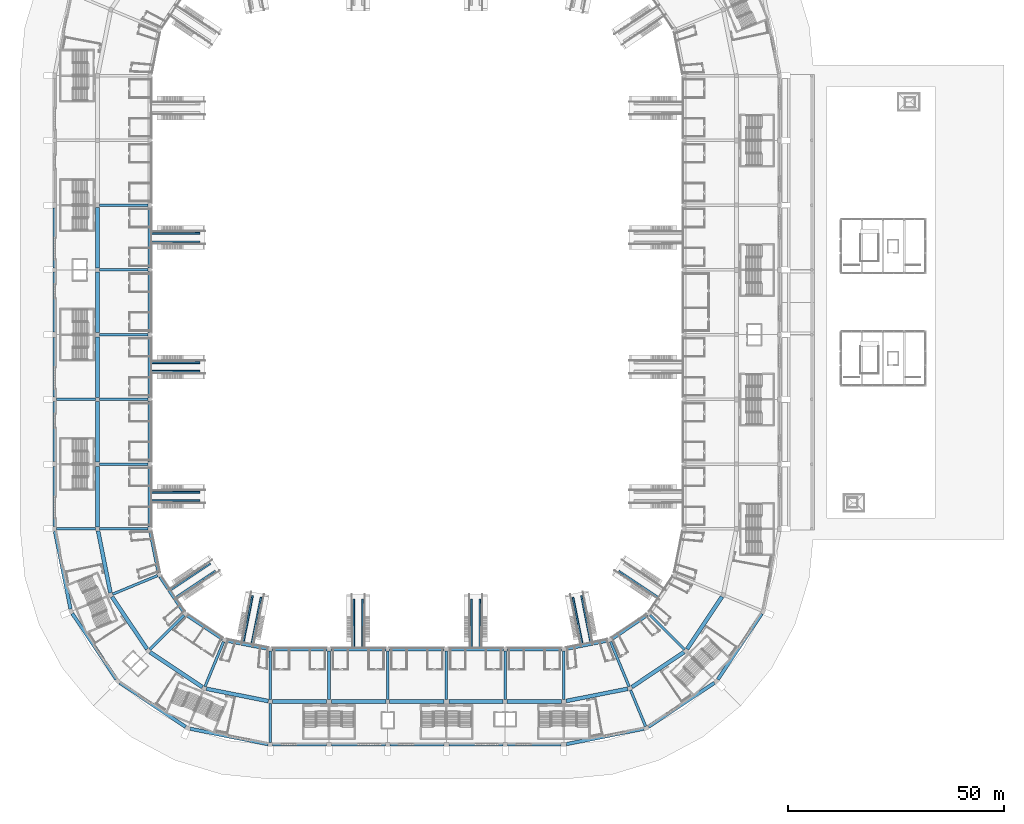
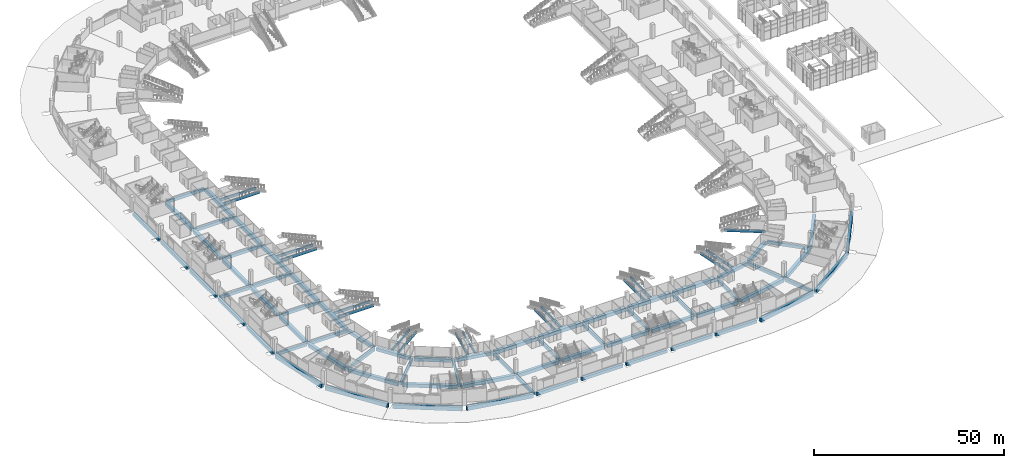
# One storey, part 4 of 175: 88 beams.
"""IFC4 building model written with IfcOpenShell, lengths in metres."""

from ifc_helpers import new_model, si_unit, direction, frame, origin, origin_2d, place, context, subcontext, project, spatial, rectangle, extrude, material, material_profile, profile_set, type_object, element, save


model = new_model("IFC4")

# Units and contexts
model_context = context("Model", 3, precision=1e-05, world=origin(), true_north=direction((0.0, 1.0)))
body_context = subcontext(model_context, "Body", "Model", "MODEL_VIEW")
ifc_project = project(units=[si_unit("LENGTHUNIT", "METRE"), si_unit("AREAUNIT", "SQUARE_METRE"), si_unit("VOLUMEUNIT", "CUBIC_METRE"), si_unit("PLANEANGLEUNIT", "RADIAN"), si_unit("MASSUNIT", "GRAM", prefix="KILO")], contexts=[model_context])

# Site, building, storey
site_placement = place(None, origin())
site = spatial("IfcSite", under=ifc_project, at=site_placement, CompositionType="ELEMENT")
building_placement = place(site_placement, origin())
building = spatial("IfcBuilding", under=site, at=building_placement, Name="Ogive Plaza Stadium", CompositionType="ELEMENT")
storey_placement = place(building_placement, origin())
storey = spatial("IfcBuildingStorey", under=building, at=storey_placement, Name="L00", CompositionType="ELEMENT", Elevation=0.0)

# Beams
ifc_material_1 = material(Name="Concrete C40/50", Category="concrete")
ifc_material_profile_1 = material_profile(ifc_material_1, rectangle(XDim=0.60009765625, YDim=1.0, at=origin_2d()), Name="RC 600x1000")
ifc_profile_set_1 = profile_set([ifc_material_profile_1], Name="Concrete C40/50")
beam_type_1 = type_object("IfcBeamType", Name="RC radial beam 600x1000", PredefinedType="BEAM", material=ifc_profile_set_1)
beam_1_placement = place(storey_placement, frame((54.01123046875, -72.51123046875, -0.909912109375), z_axis=(0.707106781187, -0.707106781187, 0.0), x_axis=(0.707106781187, 0.707106781187, 0.0)))
element("IfcBeam", 1, at=beam_1_placement, inside=storey, type_object=beam_type_1, Name="Radial beam L00 R10 F3F4", PredefinedType="BEAM", context=body_context, shape_type="SweptSolid", body=[
    extrude(rectangle(XDim=0.60009765625, YDim=1.0, at=origin_2d()), origin(), (0.0, 0.0, 1.0), 11.249755859375),
])
beam_2_placement = place(storey_placement, frame((44.829833984375, -78.645751953125, -0.909912109375), z_axis=(0.382677616283, -0.92388194159, 0.0), x_axis=(0.92388194159, 0.382677616283, 0.0)))
element("IfcBeam", 2, at=beam_2_placement, inside=storey, type_object=beam_type_1, Name="Radial beam L00 R11 F3F4", PredefinedType="BEAM", context=body_context, shape_type="SweptSolid", body=[
    extrude(rectangle(XDim=0.60009765625, YDim=1.0, at=origin_2d()), origin(), (0.0, 0.0, 1.0), 11.250244140625),
])
beam_3_placement = place(storey_placement, frame((49.4794921875, -89.870849609375, -0.909912109375), z_axis=(0.382677193504, -0.923882116707, 0.0), x_axis=(0.923882116707, 0.382677193504, 0.0)))
element("IfcBeam", 3, at=beam_3_placement, inside=storey, type_object=beam_type_1, Name="Radial beam L00 R11 F4F5", PredefinedType="BEAM", context=body_context, shape_type="SweptSolid", body=[
    extrude(rectangle(XDim=0.60009765625, YDim=1.0, at=origin_2d()), origin(), (0.0, 0.0, 1.0), 9.10009765625),
])
for number, where, z_axis, x_axis, name in (
    (4, (34.0, -80.800048828125, -0.909912109375), (0.0, -1.0, 0.0), (1.0, 0.0, 0.0), "Radial beam L00 R12 F3F4"),
    (5, (20.39990234375, -80.800048828125, -0.909912109375), (0.0, -1.0, 0.0), (1.0, 0.0, 0.0), "Radial beam L00 R13 F3F4"),
    (6, (6.800048828125, -80.800048828125, -0.909912109375), (0.0, -1.0, 0.0), (1.0, 0.0, 0.0), "Radial beam L00 R14 F3F4"),
    (7, (-6.800048828125, -80.800048828125, -0.909912109375), (0.0, -1.0, 0.0), (1.0, 0.0, 0.0), "Radial beam L00 R15 F3F4"),
    (8, (-20.39990234375, -80.800048828125, -0.909912109375), (0.0, -1.0, 0.0), (1.0, 0.0, 0.0), "Radial beam L00 R16 F3F4"),
    (9, (-34.0, -80.800048828125, -0.909912109375), (0.0, -1.0, 0.0), (1.0, 0.0, 0.0), "Radial beam L00 R17 F3F4"),
):
    element("IfcBeam", number, at=place(storey_placement, frame(where, z_axis=z_axis, x_axis=x_axis)), inside=storey, type_object=beam_type_1, Name=name, PredefinedType="BEAM", context=body_context, shape_type="SweptSolid", body=[
        extrude(rectangle(XDim=0.60009765625, YDim=1.0, at=origin_2d()), origin(), (0.0, 0.0, 1.0), 11.25),
    ])
beam_4_placement = place(storey_placement, frame((-34.0, -92.949951171875, -0.909912109375), z_axis=(0.0, -1.0, 0.0), x_axis=(1.0, 0.0, 0.0)))
element("IfcBeam", 10, at=beam_4_placement, inside=storey, type_object=beam_type_1, Name="Radial beam L00 R17 F4F5", PredefinedType="BEAM", context=body_context, shape_type="SweptSolid", body=[
    extrude(rectangle(XDim=0.60009765625, YDim=1.0, at=origin_2d()), origin(), (0.0, 0.0, 1.0), 9.10009765625),
])
beam_5_placement = place(storey_placement, frame((-44.829833984375, -78.645751953125, -0.909912109375), z_axis=(-0.382677616283, -0.92388194159, 0.0), x_axis=(0.92388194159, -0.382677616283, 0.0)))
element("IfcBeam", 11, at=beam_5_placement, inside=storey, type_object=beam_type_1, Name="Radial beam L00 R18 F3F4", PredefinedType="BEAM", context=body_context, shape_type="SweptSolid", body=[
    extrude(rectangle(XDim=0.60009765625, YDim=1.0, at=origin_2d()), origin(), (0.0, 0.0, 1.0), 11.250244140625),
])
beam_6_placement = place(storey_placement, frame((-54.01123046875, -72.51123046875, -0.909912109375), z_axis=(-0.707106781187, -0.707106781187, 0.0), x_axis=(0.707106781187, -0.707106781187, 0.0)))
element("IfcBeam", 12, at=beam_6_placement, inside=storey, type_object=beam_type_1, Name="Radial beam L00 R19 F3F4", PredefinedType="BEAM", context=body_context, shape_type="SweptSolid", body=[
    extrude(rectangle(XDim=0.60009765625, YDim=1.0, at=origin_2d()), origin(), (0.0, 0.0, 1.0), 11.249755859375),
])
beam_7_placement = place(storey_placement, frame((-60.145751953125, -63.329833984375, -0.909912109375), z_axis=(-0.92388194159, -0.382677616283, 0.0), x_axis=(0.382677616283, -0.92388194159, 0.0)))
element("IfcBeam", 13, at=beam_7_placement, inside=storey, type_object=beam_type_1, Name="Radial beam L00 R20 F3F4", PredefinedType="BEAM", context=body_context, shape_type="SweptSolid", body=[
    extrude(rectangle(XDim=0.60009765625, YDim=1.0, at=origin_2d()), origin(), (0.0, 0.0, 1.0), 11.250244140625),
])
beam_8_placement = place(storey_placement, frame((-62.300048828125, -52.5, -0.909912109375), z_axis=(-1.0, 0.0, 0.0), x_axis=(0.0, -1.0, 0.0)))
element("IfcBeam", 14, at=beam_8_placement, inside=storey, type_object=beam_type_1, Name="Radial beam L00 R21 F3F4", PredefinedType="BEAM", context=body_context, shape_type="SweptSolid", body=[
    extrude(rectangle(XDim=0.60009765625, YDim=1.0, at=origin_2d()), origin(), (0.0, 0.0, 1.0), 11.25),
])
beam_9_placement = place(storey_placement, frame((-74.449951171875, -52.5, -0.909912109375), z_axis=(-1.0, 0.0, 0.0), x_axis=(0.0, -1.0, 0.0)))
element("IfcBeam", 15, at=beam_9_placement, inside=storey, type_object=beam_type_1, Name="Radial beam L00 R21 F4F5", PredefinedType="BEAM", context=body_context, shape_type="SweptSolid", body=[
    extrude(rectangle(XDim=0.60009765625, YDim=1.0, at=origin_2d()), origin(), (0.0, 0.0, 1.0), 9.10009765625),
])
for number, where, z_axis, x_axis, name in (
    (16, (-62.300048828125, -37.5, -0.909912109375), (-1.0, 0.0, 0.0), (0.0, -1.0, 0.0), "Radial beam L00 R22 F3F4"),
    (17, (-62.300048828125, -22.5, -0.909912109375), (-1.0, 0.0, 0.0), (0.0, -1.0, 0.0), "Radial beam L00 R23 F3F4"),
):
    element("IfcBeam", number, at=place(storey_placement, frame(where, z_axis=z_axis, x_axis=x_axis)), inside=storey, type_object=beam_type_1, Name=name, PredefinedType="BEAM", context=body_context, shape_type="SweptSolid", body=[
        extrude(rectangle(XDim=0.60009765625, YDim=1.0, at=origin_2d()), origin(), (0.0, 0.0, 1.0), 11.25),
    ])
beam_10_placement = place(storey_placement, frame((-74.449951171875, -22.5, -0.909912109375), z_axis=(-1.0, 0.0, 0.0), x_axis=(0.0, -1.0, 0.0)))
element("IfcBeam", 18, at=beam_10_placement, inside=storey, type_object=beam_type_1, Name="Radial beam L00 R23 F4F5", PredefinedType="BEAM", context=body_context, shape_type="SweptSolid", body=[
    extrude(rectangle(XDim=0.60009765625, YDim=1.0, at=origin_2d()), origin(), (0.0, 0.0, 1.0), 9.10009765625),
])
for number, where, z_axis, x_axis, name in (
    (19, (-62.300048828125, -7.5, -0.909912109375), (-1.0, 0.0, 0.0), (0.0, -1.0, 0.0), "Radial beam L00 R24 F3F4"),
    (20, (-62.300048828125, 7.5, -0.909912109375), (-1.0, 0.0, 0.0), (0.0, -1.0, 0.0), "Radial beam L00 R25 F3F4"),
    (21, (-62.300048828125, 22.5, -0.909912109375), (-1.0, 0.0, 0.0), (0.0, -1.0, 0.0), "Radial beam L00 R26 F3F4"),
):
    element("IfcBeam", number, at=place(storey_placement, frame(where, z_axis=z_axis, x_axis=x_axis)), inside=storey, type_object=beam_type_1, Name=name, PredefinedType="BEAM", context=body_context, shape_type="SweptSolid", body=[
        extrude(rectangle(XDim=0.60009765625, YDim=1.0, at=origin_2d()), origin(), (0.0, 0.0, 1.0), 11.25),
    ])
ifc_material_2 = material(Name="Concrete C40/50", Category="concrete")
ifc_material_profile_2 = material_profile(ifc_material_2, rectangle(XDim=0.800048828125, YDim=1.0, at=origin_2d()), Name="RC 800x1000")
ifc_profile_set_2 = profile_set([ifc_material_profile_2], Name="Concrete C40/50")
beam_type_2 = type_object("IfcBeamType", Name="RC ring beam 800x1000", PredefinedType="BEAM", material=ifc_profile_set_2)
beam_11_placement = place(storey_placement, frame((53.3466796875, -72.483154296875, -0.909912109375), z_axis=(-0.831469573595, -0.555570290949, 0.0), x_axis=(0.555570290949, -0.831469573595, 0.0)))
element("IfcBeam", 22, at=beam_11_placement, inside=storey, type_object=beam_type_2, Name="Ring beam F3 L00 B10", PredefinedType="BEAM", context=body_context, shape_type="SweptSolid", body=[
    extrude(rectangle(XDim=0.800048828125, YDim=1.0, at=origin_2d()), origin(), (0.0, 0.0, 1.0), 9.96826171875),
])
beam_12_placement = place(storey_placement, frame((44.226806640625, -78.36572265625, -0.909912109375), z_axis=(-0.980784656884, -0.195093456635, 0.0), x_axis=(0.195093456635, -0.980784656884, 0.0)))
element("IfcBeam", 23, at=beam_12_placement, inside=storey, type_object=beam_type_2, Name="Ring beam F3 L00 B11", PredefinedType="BEAM", context=body_context, shape_type="SweptSolid", body=[
    extrude(rectangle(XDim=0.800048828125, YDim=1.0, at=origin_2d()), origin(), (0.0, 0.0, 1.0), 9.91748046875),
])
beam_13_placement = place(storey_placement, frame((-34.39990234375, -80.320556640625, -0.909912109375), z_axis=(-0.980782584064, 0.195103876937, 0.0), x_axis=(-0.195103876937, -0.980782584064, 0.0)))
element("IfcBeam", 24, at=beam_13_placement, inside=storey, type_object=beam_type_2, Name="Ring beam F3 L00 B17", PredefinedType="BEAM", context=body_context, shape_type="SweptSolid", body=[
    extrude(rectangle(XDim=0.800048828125, YDim=1.0, at=origin_2d()), origin(), (0.0, 0.0, 1.0), 10.01953125),
])
for number, where, z_axis, x_axis, name in (
    (25, (-45.058349609375, -78.021240234375, -0.909912109375), (-0.831469573595, 0.555570290949, 0.0), (-0.555570290949, -0.831469573595, 0.0), "Ring beam F3 L00 B18"),
    (26, (-53.983154296875, -71.8466796875, -0.909912109375), (-0.555570290949, 0.831469573595, 0.0), (-0.831469573595, -0.555570290949, 0.0), "Ring beam F3 L00 B19"),
):
    element("IfcBeam", number, at=place(storey_placement, frame(where, z_axis=z_axis, x_axis=x_axis)), inside=storey, type_object=beam_type_2, Name=name, PredefinedType="BEAM", context=body_context, shape_type="SweptSolid", body=[
        extrude(rectangle(XDim=0.800048828125, YDim=1.0, at=origin_2d()), origin(), (0.0, 0.0, 1.0), 9.96826171875),
    ])
beam_14_placement = place(storey_placement, frame((-59.86572265625, -62.726806640625, -0.909912109375), z_axis=(-0.195103876937, 0.980782584064, 0.0), x_axis=(-0.980782584064, -0.195103876937, 0.0)))
element("IfcBeam", 27, at=beam_14_placement, inside=storey, type_object=beam_type_2, Name="Ring beam F3 L00 B20", PredefinedType="BEAM", context=body_context, shape_type="SweptSolid", body=[
    extrude(rectangle(XDim=0.800048828125, YDim=1.0, at=origin_2d()), origin(), (0.0, 0.0, 1.0), 10.01953125),
])
ifc_material_3 = material(Name="Concrete C40/50", Category="concrete")
ifc_material_profile_3 = material_profile(ifc_material_3, rectangle(XDim=0.89990234375, YDim=1.10009765625, at=origin_2d()), Name="RC 900x1100")
ifc_profile_set_3 = profile_set([ifc_material_profile_3], Name="Concrete C40/50")
beam_type_3 = type_object("IfcBeamType", Name="RC ring beam 900x1100", PredefinedType="BEAM", material=ifc_profile_set_3)
for number, where, z_axis, x_axis, name in (
    (28, (70.671875, -68.231201171875, -0.9599609375), (-0.555572744827, -0.831467933961, 0.0), (0.831467933961, -0.555572744827, 0.0), "Ring beam F4 L00 B09"),
    (29, (61.8603515625, -81.0673828125, -0.9599609375), (-0.831467933961, -0.555572744827, 0.0), (0.555572744827, -0.831467933961, 0.0), "Ring beam F4 L00 B10"),
):
    element("IfcBeam", number, at=place(storey_placement, frame(where, z_axis=z_axis, x_axis=x_axis)), inside=storey, type_object=beam_type_3, Name=name, PredefinedType="BEAM", context=body_context, shape_type="SweptSolid", body=[
        extrude(rectangle(XDim=0.89990234375, YDim=1.10009765625, at=origin_2d()), origin(), (0.0, 0.0, 1.0), 14.587646484375),
    ])
beam_15_placement = place(storey_placement, frame((48.807373046875, -89.5546875, -0.9599609375), z_axis=(-0.980785551724, -0.195088957992, 0.0), x_axis=(0.195088957992, -0.980785551724, 0.0)))
element("IfcBeam", 30, at=beam_15_placement, inside=storey, type_object=beam_type_3, Name="Ring beam F4 L00 B11", PredefinedType="BEAM", context=body_context, shape_type="SweptSolid", body=[
    extrude(rectangle(XDim=0.89990234375, YDim=1.10009765625, at=origin_2d()), origin(), (0.0, 0.0, 1.0), 14.53662109375),
])
beam_16_placement = place(storey_placement, frame((33.449951171875, -92.5, -0.9599609375), z_axis=(-1.0, 0.0, 0.0), x_axis=(0.0, -1.0, 0.0)))
element("IfcBeam", 31, at=beam_16_placement, inside=storey, type_object=beam_type_3, Name="Ring beam F4 L00 B12", PredefinedType="BEAM", context=body_context, shape_type="SweptSolid", body=[
    extrude(rectangle(XDim=0.89990234375, YDim=1.10009765625, at=origin_2d()), origin(), (0.0, 0.0, 1.0), 12.599853515625),
])
beam_17_placement = place(storey_placement, frame((33.5, -80.39990234375, -0.9599609375), z_axis=(-1.0, 0.0, 0.0), x_axis=(0.0, -1.0, 0.0)))
element("IfcBeam", 32, at=beam_17_placement, inside=storey, type_object=beam_type_3, Name="Ring beam F3 L00 B12", PredefinedType="BEAM", context=body_context, shape_type="SweptSolid", body=[
    extrude(rectangle(XDim=0.89990234375, YDim=1.10009765625, at=origin_2d()), origin(), (0.0, 0.0, 1.0), 12.699951171875),
])
beam_18_placement = place(storey_placement, frame((19.949951171875, -92.5, -0.9599609375), z_axis=(-1.0, 0.0, 0.0), x_axis=(0.0, -1.0, 0.0)))
element("IfcBeam", 33, at=beam_18_placement, inside=storey, type_object=beam_type_3, Name="Ring beam F4 L00 B13", PredefinedType="BEAM", context=body_context, shape_type="SweptSolid", body=[
    extrude(rectangle(XDim=0.89990234375, YDim=1.10009765625, at=origin_2d()), origin(), (0.0, 0.0, 1.0), 12.599853515625),
])
beam_19_placement = place(storey_placement, frame((20.0, -80.39990234375, -0.9599609375), z_axis=(-1.0, 0.0, 0.0), x_axis=(0.0, -1.0, 0.0)))
element("IfcBeam", 34, at=beam_19_placement, inside=storey, type_object=beam_type_3, Name="Ring beam F3 L00 B13", PredefinedType="BEAM", context=body_context, shape_type="SweptSolid", body=[
    extrude(rectangle(XDim=0.89990234375, YDim=1.10009765625, at=origin_2d()), origin(), (0.0, 0.0, 1.0), 12.699951171875),
])
beam_20_placement = place(storey_placement, frame((6.25, -92.5, -0.9599609375), z_axis=(-1.0, 0.0, 0.0), x_axis=(0.0, -1.0, 0.0)))
element("IfcBeam", 35, at=beam_20_placement, inside=storey, type_object=beam_type_3, Name="Ring beam F4 L00 B14", PredefinedType="BEAM", context=body_context, shape_type="SweptSolid", body=[
    extrude(rectangle(XDim=0.89990234375, YDim=1.10009765625, at=origin_2d()), origin(), (0.0, 0.0, 1.0), 12.60009765625),
])
beam_21_placement = place(storey_placement, frame((6.300048828125, -80.39990234375, -0.9599609375), z_axis=(-1.0, 0.0, 0.0), x_axis=(0.0, -1.0, 0.0)))
element("IfcBeam", 36, at=beam_21_placement, inside=storey, type_object=beam_type_3, Name="Ring beam F3 L00 B14", PredefinedType="BEAM", context=body_context, shape_type="SweptSolid", body=[
    extrude(rectangle(XDim=0.89990234375, YDim=1.10009765625, at=origin_2d()), origin(), (0.0, 0.0, 1.0), 12.699951171875),
])
beam_22_placement = place(storey_placement, frame((-7.25, -92.5, -0.9599609375), z_axis=(-1.0, 0.0, 0.0), x_axis=(0.0, -1.0, 0.0)))
element("IfcBeam", 37, at=beam_22_placement, inside=storey, type_object=beam_type_3, Name="Ring beam F4 L00 B15", PredefinedType="BEAM", context=body_context, shape_type="SweptSolid", body=[
    extrude(rectangle(XDim=0.89990234375, YDim=1.10009765625, at=origin_2d()), origin(), (0.0, 0.0, 1.0), 12.60009765625),
])
beam_23_placement = place(storey_placement, frame((-7.199951171875, -80.39990234375, -0.9599609375), z_axis=(-1.0, 0.0, 0.0), x_axis=(0.0, -1.0, 0.0)))
element("IfcBeam", 38, at=beam_23_placement, inside=storey, type_object=beam_type_3, Name="Ring beam F3 L00 B15", PredefinedType="BEAM", context=body_context, shape_type="SweptSolid", body=[
    extrude(rectangle(XDim=0.89990234375, YDim=1.10009765625, at=origin_2d()), origin(), (0.0, 0.0, 1.0), 12.699951171875),
])
beam_24_placement = place(storey_placement, frame((-20.949951171875, -92.5, -0.9599609375), z_axis=(-1.0, 0.0, 0.0), x_axis=(0.0, -1.0, 0.0)))
element("IfcBeam", 39, at=beam_24_placement, inside=storey, type_object=beam_type_3, Name="Ring beam F4 L00 B16", PredefinedType="BEAM", context=body_context, shape_type="SweptSolid", body=[
    extrude(rectangle(XDim=0.89990234375, YDim=1.10009765625, at=origin_2d()), origin(), (0.0, 0.0, 1.0), 12.60009765625),
])
beam_25_placement = place(storey_placement, frame((-20.89990234375, -80.39990234375, -0.9599609375), z_axis=(-1.0, 0.0, 0.0), x_axis=(0.0, -1.0, 0.0)))
element("IfcBeam", 40, at=beam_25_placement, inside=storey, type_object=beam_type_3, Name="Ring beam F3 L00 B16", PredefinedType="BEAM", context=body_context, shape_type="SweptSolid", body=[
    extrude(rectangle(XDim=0.89990234375, YDim=1.10009765625, at=origin_2d()), origin(), (0.0, 0.0, 1.0), 12.7001953125),
])
beam_26_placement = place(storey_placement, frame((-34.449951171875, -92.410400390625, -0.9599609375), z_axis=(-0.980787317906, 0.195080078519, 0.0), x_axis=(-0.195080078519, -0.980787317906, 0.0)))
element("IfcBeam", 41, at=beam_26_placement, inside=storey, type_object=beam_type_3, Name="Ring beam F4 L00 B17", PredefinedType="BEAM", context=body_context, shape_type="SweptSolid", body=[
    extrude(rectangle(XDim=0.89990234375, YDim=1.10009765625, at=origin_2d()), origin(), (0.0, 0.0, 1.0), 14.638671875),
])
for number, where, z_axis, x_axis, name in (
    (42, (-49.731201171875, -89.171875, -0.9599609375), (-0.831467933961, 0.555572744827, 0.0), (-0.555572744827, -0.831467933961, 0.0), "Ring beam F4 L00 B18"),
    (43, (-62.5673828125, -80.3603515625, -0.9599609375), (-0.555572744827, 0.831467933961, 0.0), (-0.831467933961, -0.555572744827, 0.0), "Ring beam F4 L00 B19"),
):
    element("IfcBeam", number, at=place(storey_placement, frame(where, z_axis=z_axis, x_axis=x_axis)), inside=storey, type_object=beam_type_3, Name=name, PredefinedType="BEAM", context=body_context, shape_type="SweptSolid", body=[
        extrude(rectangle(XDim=0.89990234375, YDim=1.10009765625, at=origin_2d()), origin(), (0.0, 0.0, 1.0), 14.587646484375),
    ])
beam_27_placement = place(storey_placement, frame((-71.0546875, -67.307373046875, -0.9599609375), z_axis=(-0.195080078519, 0.980787317906, 0.0), x_axis=(-0.980787317906, -0.195080078519, 0.0)))
element("IfcBeam", 44, at=beam_27_placement, inside=storey, type_object=beam_type_3, Name="Ring beam F4 L00 B20", PredefinedType="BEAM", context=body_context, shape_type="SweptSolid", body=[
    extrude(rectangle(XDim=0.89990234375, YDim=1.10009765625, at=origin_2d()), origin(), (0.0, 0.0, 1.0), 14.638671875),
])
beam_28_placement = place(storey_placement, frame((-74.0, -52.050048828125, -0.9599609375), z_axis=(0.0, 1.0, 0.0), x_axis=(-1.0, 0.0, 0.0)))
element("IfcBeam", 45, at=beam_28_placement, inside=storey, type_object=beam_type_3, Name="Ring beam F4 L00 B21", PredefinedType="BEAM", context=body_context, shape_type="SweptSolid", body=[
    extrude(rectangle(XDim=0.89990234375, YDim=1.10009765625, at=origin_2d()), origin(), (0.0, 0.0, 1.0), 14.0),
])
beam_29_placement = place(storey_placement, frame((-61.89990234375, -52.10009765625, -0.9599609375), z_axis=(0.0, 1.0, 0.0), x_axis=(-1.0, 0.0, 0.0)))
element("IfcBeam", 46, at=beam_29_placement, inside=storey, type_object=beam_type_3, Name="Ring beam F3 L00 B21", PredefinedType="BEAM", context=body_context, shape_type="SweptSolid", body=[
    extrude(rectangle(XDim=0.89990234375, YDim=1.10009765625, at=origin_2d()), origin(), (0.0, 0.0, 1.0), 14.10009765625),
])
beam_30_placement = place(storey_placement, frame((-74.0, -36.949951171875, -0.9599609375), z_axis=(0.0, 1.0, 0.0), x_axis=(-1.0, 0.0, 0.0)))
element("IfcBeam", 47, at=beam_30_placement, inside=storey, type_object=beam_type_3, Name="Ring beam F4 L00 B22", PredefinedType="BEAM", context=body_context, shape_type="SweptSolid", body=[
    extrude(rectangle(XDim=0.89990234375, YDim=1.10009765625, at=origin_2d()), origin(), (0.0, 0.0, 1.0), 14.0),
])
beam_31_placement = place(storey_placement, frame((-61.89990234375, -37.0, -0.9599609375), z_axis=(0.0, 1.0, 0.0), x_axis=(-1.0, 0.0, 0.0)))
element("IfcBeam", 48, at=beam_31_placement, inside=storey, type_object=beam_type_3, Name="Ring beam F3 L00 B22", PredefinedType="BEAM", context=body_context, shape_type="SweptSolid", body=[
    extrude(rectangle(XDim=0.89990234375, YDim=1.10009765625, at=origin_2d()), origin(), (0.0, 0.0, 1.0), 14.10009765625),
])
beam_32_placement = place(storey_placement, frame((-74.0, -22.050048828125, -0.9599609375), z_axis=(0.0, 1.0, 0.0), x_axis=(-1.0, 0.0, 0.0)))
element("IfcBeam", 49, at=beam_32_placement, inside=storey, type_object=beam_type_3, Name="Ring beam F4 L00 B23", PredefinedType="BEAM", context=body_context, shape_type="SweptSolid", body=[
    extrude(rectangle(XDim=0.89990234375, YDim=1.10009765625, at=origin_2d()), origin(), (0.0, 0.0, 1.0), 14.0),
])
beam_33_placement = place(storey_placement, frame((-61.89990234375, -22.10009765625, -0.9599609375), z_axis=(0.0, 1.0, 0.0), x_axis=(-1.0, 0.0, 0.0)))
element("IfcBeam", 50, at=beam_33_placement, inside=storey, type_object=beam_type_3, Name="Ring beam F3 L00 B23", PredefinedType="BEAM", context=body_context, shape_type="SweptSolid", body=[
    extrude(rectangle(XDim=0.89990234375, YDim=1.10009765625, at=origin_2d()), origin(), (0.0, 0.0, 1.0), 14.10009765625),
])
beam_34_placement = place(storey_placement, frame((-74.0, -6.949951171875, -0.9599609375), z_axis=(0.0, 1.0, 0.0), x_axis=(-1.0, 0.0, 0.0)))
element("IfcBeam", 51, at=beam_34_placement, inside=storey, type_object=beam_type_3, Name="Ring beam F4 L00 B24", PredefinedType="BEAM", context=body_context, shape_type="SweptSolid", body=[
    extrude(rectangle(XDim=0.89990234375, YDim=1.10009765625, at=origin_2d()), origin(), (0.0, 0.0, 1.0), 14.0),
])
beam_35_placement = place(storey_placement, frame((-61.89990234375, -7.0, -0.9599609375), z_axis=(0.0, 1.0, 0.0), x_axis=(-1.0, 0.0, 0.0)))
element("IfcBeam", 52, at=beam_35_placement, inside=storey, type_object=beam_type_3, Name="Ring beam F3 L00 B24", PredefinedType="BEAM", context=body_context, shape_type="SweptSolid", body=[
    extrude(rectangle(XDim=0.89990234375, YDim=1.10009765625, at=origin_2d()), origin(), (0.0, 0.0, 1.0), 14.10009765625),
])
beam_36_placement = place(storey_placement, frame((-74.0, 7.949951171875, -0.9599609375), z_axis=(0.0, 1.0, 0.0), x_axis=(-1.0, 0.0, 0.0)))
element("IfcBeam", 53, at=beam_36_placement, inside=storey, type_object=beam_type_3, Name="Ring beam F4 L00 B25", PredefinedType="BEAM", context=body_context, shape_type="SweptSolid", body=[
    extrude(rectangle(XDim=0.89990234375, YDim=1.10009765625, at=origin_2d()), origin(), (0.0, 0.0, 1.0), 14.0),
])
beam_37_placement = place(storey_placement, frame((-61.89990234375, 7.89990234375, -0.9599609375), z_axis=(0.0, 1.0, 0.0), x_axis=(-1.0, 0.0, 0.0)))
element("IfcBeam", 54, at=beam_37_placement, inside=storey, type_object=beam_type_3, Name="Ring beam F3 L00 B25", PredefinedType="BEAM", context=body_context, shape_type="SweptSolid", body=[
    extrude(rectangle(XDim=0.89990234375, YDim=1.10009765625, at=origin_2d()), origin(), (0.0, 0.0, 1.0), 14.10009765625),
])
ifc_material_4 = material(Name="Concrete C40/50", Category="concrete")
ifc_material_profile_4 = material_profile(ifc_material_4, rectangle(XDim=0.699951171875, YDim=1.0, at=origin_2d()), Name="RC 700x1000")
ifc_profile_set_4 = profile_set([ifc_material_profile_4], Name="Concrete C40/50")
beam_type_4 = type_object("IfcBeamType", Name="RC spandrel beam 700x1000", PredefinedType="SPANDREL", material=ifc_profile_set_4)
for number, where, z_axis, x_axis, name in (
    (55, (33.39990234375, -102.5, -0.909912109375), (-1.0, 0.0, 0.0), (0.0, -1.0, 0.0), "Ring beam F5 L00 B12"),
    (56, (19.89990234375, -102.5, -0.909912109375), (-1.0, 0.0, 0.0), (0.0, -1.0, 0.0), "Ring beam F5 L00 B13"),
    (57, (6.199951171875, -102.5, -0.909912109375), (-1.0, 0.0, 0.0), (0.0, -1.0, 0.0), "Ring beam F5 L00 B14"),
    (58, (-7.300048828125, -102.5, -0.909912109375), (-1.0, 0.0, 0.0), (0.0, -1.0, 0.0), "Ring beam F5 L00 B15"),
    (59, (-21.0, -102.5, -0.909912109375), (-1.0, 0.0, 0.0), (0.0, -1.0, 0.0), "Ring beam F5 L00 B16"),
):
    element("IfcBeam", number, at=place(storey_placement, frame(where, z_axis=z_axis, x_axis=x_axis)), inside=storey, type_object=beam_type_4, Name=name, PredefinedType="SPANDREL", context=body_context, shape_type="SweptSolid", body=[
        extrude(rectangle(XDim=0.699951171875, YDim=1.0, at=origin_2d()), origin(), (0.0, 0.0, 1.0), 12.5),
    ])
for number, where, z_axis, x_axis, name in (
    (60, (-84.0, -52.0, -0.909912109375), (0.0, 1.0, 0.0), (-1.0, 0.0, 0.0), "Ring beam F5 L00 B21"),
    (61, (-84.0, -36.89990234375, -0.909912109375), (0.0, 1.0, 0.0), (-1.0, 0.0, 0.0), "Ring beam F5 L00 B22"),
    (62, (-84.0, -22.0, -0.909912109375), (0.0, 1.0, 0.0), (-1.0, 0.0, 0.0), "Ring beam F5 L00 B23"),
    (63, (-84.0, -6.89990234375, -0.909912109375), (0.0, 1.0, 0.0), (-1.0, 0.0, 0.0), "Ring beam F5 L00 B24"),
    (64, (-84.0, 8.0, -0.909912109375), (0.0, 1.0, 0.0), (-1.0, 0.0, 0.0), "Ring beam F5 L00 B25"),
):
    element("IfcBeam", number, at=place(storey_placement, frame(where, z_axis=z_axis, x_axis=x_axis)), inside=storey, type_object=beam_type_4, Name=name, PredefinedType="SPANDREL", context=body_context, shape_type="SweptSolid", body=[
        extrude(rectangle(XDim=0.699951171875, YDim=1.0, at=origin_2d()), origin(), (0.0, 0.0, 1.0), 13.89990234375),
    ])
ifc_material_5 = material(Name="Concrete C40/50", Category="concrete")
ifc_material_profile_5 = material_profile(ifc_material_5, rectangle(XDim=0.800048828125, YDim=1.300048828125, at=origin_2d()), Name="RC 800x1300")
ifc_profile_set_5 = profile_set([ifc_material_profile_5], Name="Concrete C40/50")
beam_type_5 = type_object("IfcBeamType", Name="RC spandrel beam 800x1300", PredefinedType="SPANDREL", material=ifc_profile_set_5)
for number, where, z_axis, x_axis, name in (
    (65, (79.88232421875, -72.100341796875, -1.06005859375), (-0.555557833169, -0.831477897484, 0.0), (0.831477897484, -0.555557833169, 0.0), "Ring beam F5 L00 B09"),
    (66, (68.88916015625, -88.1669921875, -1.06005859375), (-0.831477897484, -0.555557833169, 0.0), (0.555557833169, -0.831477897484, 0.0), "Ring beam F5 L00 B10"),
):
    element("IfcBeam", number, at=place(storey_placement, frame(where, z_axis=z_axis, x_axis=x_axis)), inside=storey, type_object=beam_type_5, Name=name, PredefinedType="SPANDREL", context=body_context, shape_type="SweptSolid", body=[
        extrude(rectangle(XDim=0.800048828125, YDim=1.300048828125, at=origin_2d()), origin(), (0.0, 0.0, 1.0), 18.387451171875),
    ])
beam_38_placement = place(storey_placement, frame((52.584228515625, -98.803466796875, -1.06005859375), z_axis=(-0.980786507619, -0.195084152283, 0.0), x_axis=(0.195084152283, -0.980786507619, 0.0)))
element("IfcBeam", 67, at=beam_38_placement, inside=storey, type_object=beam_type_5, Name="Ring beam F5 L00 B11", PredefinedType="SPANDREL", context=body_context, shape_type="SweptSolid", body=[
    extrude(rectangle(XDim=0.800048828125, YDim=1.300048828125, at=origin_2d()), origin(), (0.0, 0.0, 1.0), 18.33642578125),
])
beam_39_placement = place(storey_placement, frame((-34.5, -102.400634765625, -1.06005859375), z_axis=(-0.980785371075, 0.195089866178, 0.0), x_axis=(-0.195089866178, -0.980785371075, 0.0)))
element("IfcBeam", 68, at=beam_39_placement, inside=storey, type_object=beam_type_5, Name="Ring beam F5 L00 B17", PredefinedType="SPANDREL", context=body_context, shape_type="SweptSolid", body=[
    extrude(rectangle(XDim=0.800048828125, YDim=1.300048828125, at=origin_2d()), origin(), (0.0, 0.0, 1.0), 18.4384765625),
])
for number, where, z_axis, x_axis, name in (
    (69, (-53.600341796875, -98.38232421875, -1.06005859375), (-0.831477897484, 0.555557833169, 0.0), (-0.555557833169, -0.831477897484, 0.0), "Ring beam F5 L00 B18"),
    (70, (-69.6669921875, -87.38916015625, -1.06005859375), (-0.555557833169, 0.831477897484, 0.0), (-0.831477897484, -0.555557833169, 0.0), "Ring beam F5 L00 B19"),
):
    element("IfcBeam", number, at=place(storey_placement, frame(where, z_axis=z_axis, x_axis=x_axis)), inside=storey, type_object=beam_type_5, Name=name, PredefinedType="SPANDREL", context=body_context, shape_type="SweptSolid", body=[
        extrude(rectangle(XDim=0.800048828125, YDim=1.300048828125, at=origin_2d()), origin(), (0.0, 0.0, 1.0), 18.387451171875),
    ])
beam_40_placement = place(storey_placement, frame((-80.303466796875, -71.084228515625, -1.06005859375), z_axis=(-0.195089866178, 0.980785371075, 0.0), x_axis=(-0.980785371075, -0.195089866178, 0.0)))
element("IfcBeam", 71, at=beam_40_placement, inside=storey, type_object=beam_type_5, Name="Ring beam F5 L00 B20", PredefinedType="SPANDREL", context=body_context, shape_type="SweptSolid", body=[
    extrude(rectangle(XDim=0.800048828125, YDim=1.300048828125, at=origin_2d()), origin(), (0.0, 0.0, 1.0), 18.4384765625),
])
ifc_material_6 = material(Name="Concrete C40/50", Category="concrete")
ifc_material_profile_6 = material_profile(ifc_material_6, rectangle(XDim=0.39990234375, YDim=0.800048828125, at=origin_2d()), Name="RC 400x800")
ifc_profile_set_6 = profile_set([ifc_material_profile_6], Name="Concrete C40/50")
beam_type_6 = type_object("IfcBeamType", Name="RC tongue beam 400x800", PredefinedType="BEAM", material=ifc_profile_set_6)
beam_41_placement = place(storey_placement, frame((46.737060546875, -62.21337890625, -0.81005859375), z_axis=(0.831471984156, -0.555566683274, 0.0), x_axis=(0.555566683274, 0.831471984156, 0.0)))
element("IfcBeam", 72, at=beam_41_placement, inside=storey, type_object=beam_type_6, Name="Vomitory beam B09 1", PredefinedType="BEAM", context=body_context, shape_type="SweptSolid", body=[
    extrude(rectangle(XDim=0.39990234375, YDim=0.800048828125, at=origin_2d()), origin(), (0.0, 0.0, 1.0), 10.98486328125),
])
beam_42_placement = place(storey_placement, frame((36.13818359375, -68.374755859375, -0.81005859375), z_axis=(0.195073135792, -0.980788698799, 0.0), x_axis=(0.980788698799, 0.195073135792, 0.0)))
element("IfcBeam", 73, at=beam_42_placement, inside=storey, type_object=beam_type_6, Name="Vomitory beam B11 1", PredefinedType="BEAM", context=body_context, shape_type="SweptSolid", body=[
    extrude(rectangle(XDim=0.39990234375, YDim=0.800048828125, at=origin_2d()), origin(), (0.0, 0.0, 1.0), 10.984619140625),
])
beam_43_placement = place(storey_placement, frame((38.099609375, -67.984619140625, -0.81005859375), z_axis=(0.195094515386, -0.980784446281, 0.0), x_axis=(0.980784446281, 0.195094515386, 0.0)))
element("IfcBeam", 74, at=beam_43_placement, inside=storey, type_object=beam_type_6, Name="Vomitory beam B11 2", PredefinedType="BEAM", context=body_context, shape_type="SweptSolid", body=[
    extrude(rectangle(XDim=0.39990234375, YDim=0.800048828125, at=origin_2d()), origin(), (0.0, 0.0, 1.0), 10.98486328125),
])
for number, where, z_axis, x_axis, name in (
    (75, (12.60009765625, -68.800048828125, -0.81005859375), (0.0, -1.0, 0.0), (1.0, 0.0, 0.0), "Vomitory beam B13 1"),
    (76, (14.60009765625, -68.800048828125, -0.81005859375), (0.0, -1.0, 0.0), (1.0, 0.0, 0.0), "Vomitory beam B13 2"),
    (77, (-14.60009765625, -68.800048828125, -0.81005859375), (0.0, -1.0, 0.0), (1.0, 0.0, 0.0), "Vomitory beam B15 1"),
    (78, (-12.60009765625, -68.800048828125, -0.81005859375), (0.0, -1.0, 0.0), (1.0, 0.0, 0.0), "Vomitory beam B15 2"),
):
    element("IfcBeam", number, at=place(storey_placement, frame(where, z_axis=z_axis, x_axis=x_axis)), inside=storey, type_object=beam_type_6, Name=name, PredefinedType="BEAM", context=body_context, shape_type="SweptSolid", body=[
        extrude(rectangle(XDim=0.39990234375, YDim=0.800048828125, at=origin_2d()), origin(), (0.0, 0.0, 1.0), 11.199951171875),
    ])
beam_44_placement = place(storey_placement, frame((-38.099609375, -67.984619140625, -0.81005859375), z_axis=(-0.195094515386, -0.980784446281, 0.0), x_axis=(0.980784446281, -0.195094515386, 0.0)))
element("IfcBeam", 79, at=beam_44_placement, inside=storey, type_object=beam_type_6, Name="Vomitory beam B17 1", PredefinedType="BEAM", context=body_context, shape_type="SweptSolid", body=[
    extrude(rectangle(XDim=0.39990234375, YDim=0.800048828125, at=origin_2d()), origin(), (0.0, 0.0, 1.0), 10.98486328125),
])
beam_45_placement = place(storey_placement, frame((-36.13818359375, -68.374755859375, -0.81005859375), z_axis=(-0.195073135792, -0.980788698799, 0.0), x_axis=(0.980788698799, -0.195073135792, 0.0)))
element("IfcBeam", 80, at=beam_45_placement, inside=storey, type_object=beam_type_6, Name="Vomitory beam B17 2", PredefinedType="BEAM", context=body_context, shape_type="SweptSolid", body=[
    extrude(rectangle(XDim=0.39990234375, YDim=0.800048828125, at=origin_2d()), origin(), (0.0, 0.0, 1.0), 10.984619140625),
])
for number, where, z_axis, x_axis, name in (
    (81, (-47.84814453125, -60.55029296875, -0.81005859375), (-0.831471984156, -0.555566683274, 0.0), (0.555566683274, -0.831471984156, 0.0), "Vomitory beam B19 1"),
    (82, (-46.737060546875, -62.21337890625, -0.81005859375), (-0.831471984156, -0.555566683274, 0.0), (0.555566683274, -0.831471984156, 0.0), "Vomitory beam B19 2"),
):
    element("IfcBeam", number, at=place(storey_placement, frame(where, z_axis=z_axis, x_axis=x_axis)), inside=storey, type_object=beam_type_6, Name=name, PredefinedType="BEAM", context=body_context, shape_type="SweptSolid", body=[
        extrude(rectangle(XDim=0.39990234375, YDim=0.800048828125, at=origin_2d()), origin(), (0.0, 0.0, 1.0), 10.98486328125),
    ])
for number, where, z_axis, x_axis, name in (
    (83, (-50.300048828125, -44.0, -0.81005859375), (-1.0, 0.0, 0.0), (0.0, -1.0, 0.0), "Vomitory beam B21 1"),
    (84, (-50.300048828125, -46.0, -0.81005859375), (-1.0, 0.0, 0.0), (0.0, -1.0, 0.0), "Vomitory beam B21 2"),
    (85, (-50.300048828125, -14.0, -0.81005859375), (-1.0, 0.0, 0.0), (0.0, -1.0, 0.0), "Vomitory beam B23 1"),
    (86, (-50.300048828125, -16.0, -0.81005859375), (-1.0, 0.0, 0.0), (0.0, -1.0, 0.0), "Vomitory beam B23 2"),
    (87, (-50.300048828125, 16.0, -0.81005859375), (-1.0, 0.0, 0.0), (0.0, -1.0, 0.0), "Vomitory beam B25 1"),
    (88, (-50.300048828125, 14.0, -0.81005859375), (-1.0, 0.0, 0.0), (0.0, -1.0, 0.0), "Vomitory beam B25 2"),
):
    element("IfcBeam", number, at=place(storey_placement, frame(where, z_axis=z_axis, x_axis=x_axis)), inside=storey, type_object=beam_type_6, Name=name, PredefinedType="BEAM", context=body_context, shape_type="SweptSolid", body=[
        extrude(rectangle(XDim=0.39990234375, YDim=0.800048828125, at=origin_2d()), origin(), (0.0, 0.0, 1.0), 11.199951171875),
    ])

save(model, "model.ifc")
